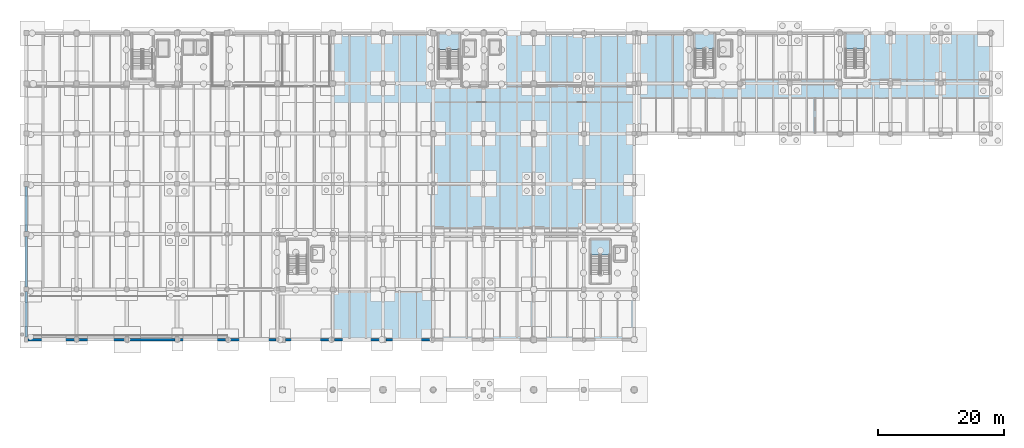
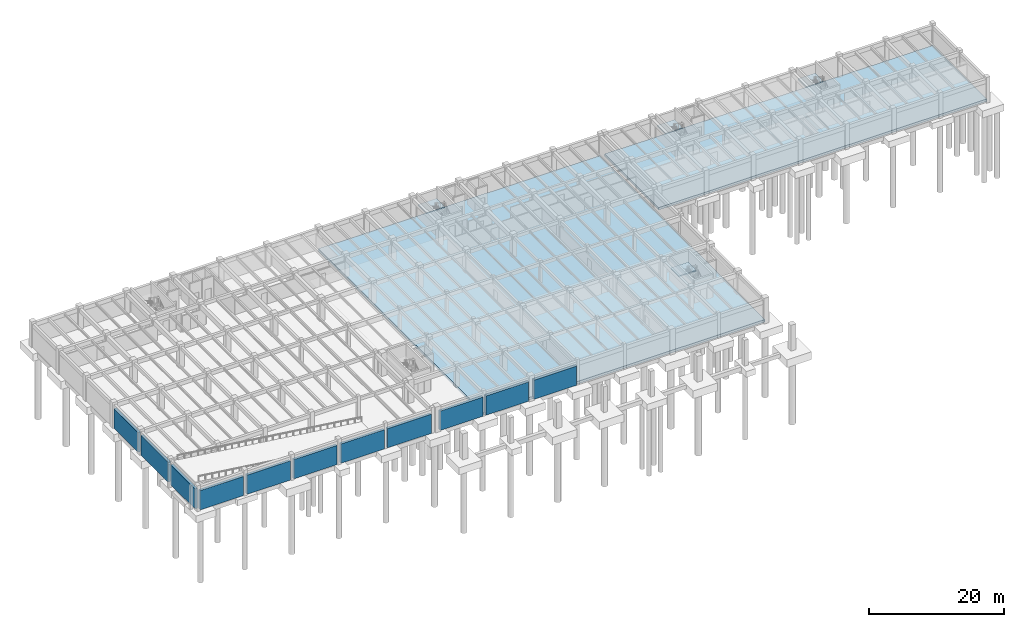
# One storey, part 13 of 25: 11 walls, 6 slabs, 4 elements without a shape of their own.
"""IFC4 building model written with IfcOpenShell, lengths in metres."""

from ifc_helpers import new_model, si_unit, direction, frame, frame_2d, origin, place, context, subcontext, project, spatial, polyline, rectangle, outline, extrude, material, layer, layer_set, type_object, element, aggregate, save


model = new_model("IFC4")

# Units and contexts
model_context = context("Model", 3, precision=1e-05, world=origin(), true_north=direction((0.0, 1.0)))
body_context = subcontext(model_context, "Body", "Model", "MODEL_VIEW")
ifc_project = project(units=[si_unit("LENGTHUNIT", "METRE"), si_unit("AREAUNIT", "SQUARE_METRE"), si_unit("VOLUMEUNIT", "CUBIC_METRE"), si_unit("PLANEANGLEUNIT", "RADIAN"), si_unit("MASSUNIT", "GRAM", prefix="KILO")], contexts=[model_context])

# Site, building, storey
site_placement = place(None, origin())
site = spatial("IfcSite", under=ifc_project, at=site_placement, CompositionType="ELEMENT")
building_placement = place(site_placement, origin())
building = spatial("IfcBuilding", under=site, at=building_placement, Name="Tlaxcora Railside Police Headquarters", CompositionType="ELEMENT")
storey_placement = place(building_placement, frame((0.0, 0.0, -4.199951171875)))
storey = spatial("IfcBuildingStorey", under=building, at=storey_placement, Name="B1", CompositionType="ELEMENT", Elevation=-4.199951171875)

# Slabs
ifc_material_1 = material(Name="Concrete C35/45", Category="concrete")
ifc_layer_1 = layer(ifc_material_1, 0.43994140625, Name="Concrete C35/45")
ifc_layer_set_1 = layer_set([ifc_layer_1], Name="Concrete C35/45")
slab_type_1 = type_object("IfcSlabType", Name="Basement Base Slab SL-35", PredefinedType="BASESLAB", material=ifc_layer_set_1)
slab_1_placement = place(storey_placement, frame((0.0, 0.0, -0.43994140625)))
element("IfcSlab", 1, at=slab_1_placement, inside=storey, type_object=slab_type_1, Name="B1 East Armoury and Plant base slab", PredefinedType="BASESLAB", context=body_context, shape_type="SweptSolid", body=[
    extrude(outline(polyline([(102.0, 44.0), (102.0, 92.800048828125), (54.0, 92.800048828125), (54.0, 44.0), (102.0, 44.0)])), origin(), (0.0, 0.0, 1.0), 0.43994140625),
])
ifc_layer_2 = layer(ifc_material_1, 0.409912109375, Name="Concrete C35/45")
ifc_layer_set_2 = layer_set([ifc_layer_2], Name="Concrete C35/45")
slab_type_2 = type_object("IfcSlabType", Name="Basement Base Slab SL-82", PredefinedType="BASESLAB", material=ifc_layer_set_2)
slab_2_placement = place(storey_placement, frame((0.0, 0.0, -0.41015625)))
element("IfcSlab", 2, at=slab_2_placement, inside=storey, type_object=slab_type_2, Name="B1 Forensic Vault base slab", PredefinedType="BASESLAB", context=body_context, shape_type="SweptSolid", body=[
    extrude(outline(polyline([(158.800048828125, 76.800048828125), (158.800048828125, 92.800048828125), (102.800048828125, 92.800048828125), (102.800048828125, 76.800048828125), (158.800048828125, 76.800048828125)])), origin(), (0.0, 0.0, 1.0), 0.41015625),
])

# Stair, slab
ifc_material_2 = material(Name="Concrete C40/50", Category="concrete")
stair_type_1 = type_object("IfcStairType", Name="Half-Turn Dog-Leg Stair ST-36", PredefinedType="HALF_TURN_STAIR", material=ifc_material_2)
stair_1_placement = place(storey_placement, origin())
stair_1 = element("IfcStair", 3, at=stair_1_placement, inside=storey, type_object=stair_type_1, Name="B1 ST2", PredefinedType="HALF_TURN_STAIR")
ifc_layer_3 = layer(ifc_material_1, 0.199951171875, Name="Concrete C35/45")
ifc_layer_set_3 = layer_set([ifc_layer_3], Name="Concrete C35/45")
slab_type_3 = type_object("IfcSlabType", Name="Stair Landing Slab SL-23", PredefinedType="LANDING", material=ifc_layer_set_3)
slab_3_placement = place(storey_placement, frame((0.0, 0.0, 1.89990234375)))
slab_3 = element("IfcSlab", 4, at=slab_3_placement, type_object=slab_type_3, Name="ST2 landing 1", PredefinedType="LANDING", context=body_context, shape_type="SweptSolid", body=[
    extrude(outline(polyline([(74.110107421875, 90.18994140625), (74.110107421875, 92.68994140625), (70.909912109375, 92.68994140625), (70.909912109375, 90.18994140625), (74.110107421875, 90.18994140625)])), origin(), (0.0, 0.0, 1.0), 0.199951171875),
])
aggregate(stair_1, [slab_3])

stair_type_2 = type_object("IfcStairType", Name="Half-Turn Dog-Leg Stair ST-45", PredefinedType="HALF_TURN_STAIR", material=ifc_material_2)
stair_2_placement = place(storey_placement, origin())
stair_2 = element("IfcStair", 5, at=stair_2_placement, inside=storey, type_object=stair_type_2, Name="B1 ST3", PredefinedType="HALF_TURN_STAIR")
slab_4_placement = place(storey_placement, frame((0.0, 0.0, 1.89990234375)))
slab_4 = element("IfcSlab", 6, at=slab_4_placement, type_object=slab_type_3, Name="ST3 landing 1", PredefinedType="LANDING", context=body_context, shape_type="SweptSolid", body=[
    extrude(outline(polyline([(114.7099609375, 90.2900390625), (114.7099609375, 92.68994140625), (111.7099609375, 92.68994140625), (111.7099609375, 90.2900390625), (114.7099609375, 90.2900390625)])), origin(), (0.0, 0.0, 1.0), 0.199951171875),
])
aggregate(stair_2, [slab_4])

stair_3_placement = place(storey_placement, origin())
stair_3 = element("IfcStair", 7, at=stair_3_placement, inside=storey, type_object=stair_type_2, Name="B1 ST8", PredefinedType="HALF_TURN_STAIR")
slab_5_placement = place(storey_placement, frame((0.0, 0.0, 1.89990234375)))
slab_5 = element("IfcSlab", 8, at=slab_5_placement, type_object=slab_type_3, Name="ST8 landing 1", PredefinedType="LANDING", context=body_context, shape_type="SweptSolid", body=[
    extrude(outline(polyline([(138.7099609375, 90.2900390625), (138.7099609375, 92.68994140625), (135.7099609375, 92.68994140625), (135.7099609375, 90.2900390625), (138.7099609375, 90.2900390625)])), origin(), (0.0, 0.0, 1.0), 0.199951171875),
])
aggregate(stair_3, [slab_5])

stair_4_placement = place(storey_placement, origin())
stair_4 = element("IfcStair", 9, at=stair_4_placement, inside=storey, type_object=stair_type_2, Name="B1 ST9", PredefinedType="HALF_TURN_STAIR")
slab_6_placement = place(storey_placement, frame((0.0, 0.0, 1.89990234375)))
slab_6 = element("IfcSlab", 10, at=slab_6_placement, type_object=slab_type_3, Name="ST9 landing 1", PredefinedType="LANDING", context=body_context, shape_type="SweptSolid", body=[
    extrude(outline(polyline([(98.110107421875, 57.489990234375), (98.110107421875, 59.889892578125), (95.110107421875, 59.889892578125), (95.110107421875, 57.489990234375), (98.110107421875, 57.489990234375)])), origin(), (0.0, 0.0, 1.0), 0.199951171875),
])
aggregate(stair_4, [slab_6])

# Walls
ifc_layer_4 = layer(ifc_material_1, 0.429931640625, Name="Concrete C35/45")
ifc_layer_set_4 = layer_set([ifc_layer_4], Name="Concrete C35/45")
wall_type = type_object("IfcWallType", Name="Structural Bearing Wall EW-49", PredefinedType="SOLIDWALL", material=ifc_layer_set_4)
for number, where, z_axis, x_axis, name in (
    (11, (5.5, 44.0, -0.43994140625), (0.0, 0.0, 1.0), (1.0, 0.0, 0.0), "V5 B1 exterior wall 0.0"),
    (12, (13.5, 44.0, -0.43994140625), (0.0, 0.0, 1.0), (1.0, 0.0, 0.0), "V5 B1 exterior wall 0.1"),
    (13, (21.5, 44.0, -0.43994140625), (0.0, 0.0, 1.0), (1.0, 0.0, 0.0), "V5 B1 exterior wall 0.2"),
):
    element("IfcWall", number, at=place(storey_placement, frame(where, z_axis=z_axis, x_axis=x_axis)), inside=storey, type_object=wall_type, Name=name, PredefinedType="SOLIDWALL", context=body_context, shape_type="SweptSolid", body=[
        extrude(rectangle(XDim=7.39990234375, YDim=0.429931640625, at=frame_2d((3.699951171875, 0.0))), origin(), (0.0, 0.0, 1.0), 3.469970703125),
    ])
wall_1_placement = place(storey_placement, frame((29.5, 44.0, -0.43994140625), z_axis=(0.0, 0.0, 1.0), x_axis=(1.0, 0.0, 0.0)))
element("IfcWall", 14, at=wall_1_placement, inside=storey, type_object=wall_type, Name="V5 B1 exterior wall 0.3", PredefinedType="SOLIDWALL", context=body_context, shape_type="SweptSolid", body=[
    extrude(rectangle(XDim=7.449951171875, YDim=0.429931640625, at=frame_2d((3.72509765625, 0.0))), origin(), (0.0, 0.0, 1.0), 3.469970703125),
])
wall_2_placement = place(storey_placement, frame((37.449951171875, 44.0, -0.43994140625), z_axis=(0.0, 0.0, 1.0), x_axis=(1.0, 0.0, 0.0)))
element("IfcWall", 15, at=wall_2_placement, inside=storey, type_object=wall_type, Name="V5 B1 exterior wall 0.4", PredefinedType="SOLIDWALL", context=body_context, shape_type="SweptSolid", body=[
    extrude(rectangle(XDim=7.5, YDim=0.429931640625, at=frame_2d((3.75, 0.0))), origin(), (0.0, 0.0, 1.0), 3.469970703125),
])
for number, where, z_axis, x_axis, name in (
    (16, (46.449951171875, 44.0, -0.43994140625), (0.0, 0.0, 1.0), (1.0, 0.0, 0.0), "V5 B1 exterior wall 0.5"),
    (17, (54.25, 44.0, -0.43994140625), (0.0, 0.0, 1.0), (1.0, 0.0, 0.0), "V5 B1 exterior wall 0.6"),
    (18, (62.449951171875, 44.0, -0.43994140625), (0.0, 0.0, 1.0), (1.0, 0.0, 0.0), "V5 B1 exterior wall 0.7"),
):
    element("IfcWall", number, at=place(storey_placement, frame(where, z_axis=z_axis, x_axis=x_axis)), inside=storey, type_object=wall_type, Name=name, PredefinedType="SOLIDWALL", context=body_context, shape_type="SweptSolid", body=[
        extrude(rectangle(XDim=7.300048828125, YDim=0.429931640625, at=frame_2d((3.64990234375, 0.0))), origin(), (0.0, 0.0, 1.0), 3.469970703125),
    ])
wall_3_placement = place(storey_placement, frame((5.199951171875, 68.39990234375, -0.43994140625), z_axis=(0.0, 0.0, 1.0), x_axis=(0.0, -1.0, 0.0)))
element("IfcWall", 19, at=wall_3_placement, inside=storey, type_object=wall_type, Name="V5 B1 exterior wall 3.3", PredefinedType="SOLIDWALL", context=body_context, shape_type="SweptSolid", body=[
    extrude(rectangle(XDim=7.199951171875, YDim=0.429931640625, at=frame_2d((3.60009765625, 0.0))), origin(), (0.0, 0.0, 1.0), 3.56982421875),
])
wall_4_placement = place(storey_placement, frame((5.199951171875, 60.39990234375, -0.43994140625), z_axis=(0.0, 0.0, 1.0), x_axis=(0.0, -1.0, 0.0)))
element("IfcWall", 20, at=wall_4_placement, inside=storey, type_object=wall_type, Name="V5 B1 exterior wall 3.4", PredefinedType="SOLIDWALL", context=body_context, shape_type="SweptSolid", body=[
    extrude(rectangle(XDim=8.0498046875, YDim=0.429931640625, at=frame_2d((4.02490234375, 0.0))), origin(), (0.0, 0.0, 1.0), 3.56982421875),
])
wall_5_placement = place(storey_placement, frame((5.199951171875, 51.64990234375, -0.43994140625), z_axis=(0.0, 0.0, 1.0), x_axis=(0.0, -1.0, 0.0)))
element("IfcWall", 21, at=wall_5_placement, inside=storey, type_object=wall_type, Name="V5 B1 exterior wall 3.5", PredefinedType="SOLIDWALL", context=body_context, shape_type="SweptSolid", body=[
    extrude(rectangle(XDim=7.25, YDim=0.429931640625, at=frame_2d((3.625, 0.0))), origin(), (0.0, 0.0, 1.0), 3.56982421875),
])

save(model, "model.ifc")
